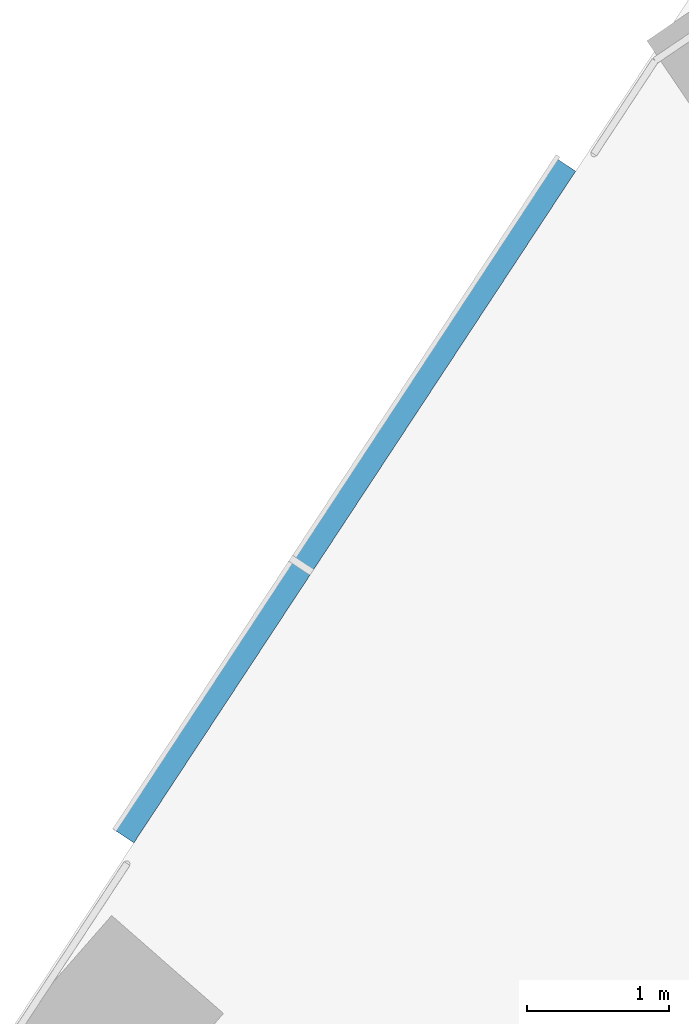
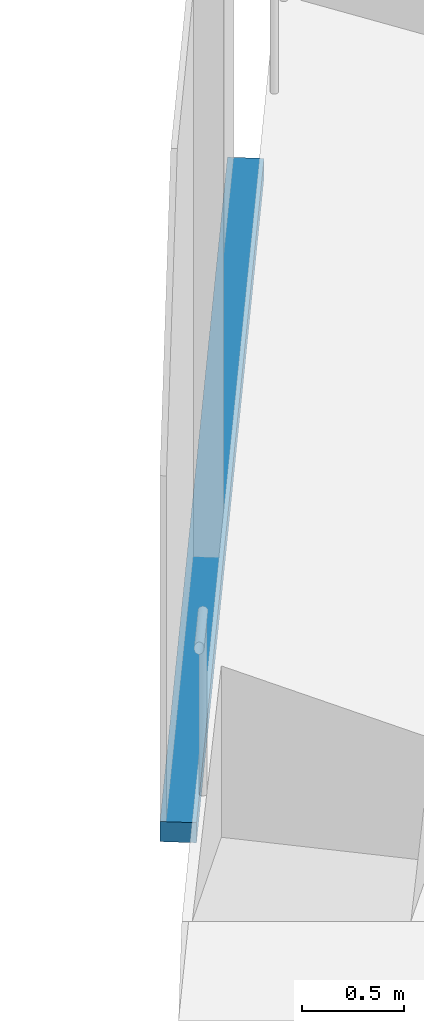
# One storey, part 7 of 26: 1 member, 1 element without a shape of its own.
"""IFC4 building model written with IfcOpenShell, lengths in metres."""

from ifc_helpers import new_model, si_unit, direction, frame, origin, origin_2d, place, context, subcontext, project, spatial, rectangle, extrude, material, material_profile, profile_set, type_object, element, aggregate, save


model = new_model("IFC4")

# Units and contexts
model_context = context("Model", 3, precision=1e-05, world=origin(), true_north=direction((0.0, 1.0)))
body_context = subcontext(model_context, "Body", "Model", "MODEL_VIEW")
ifc_project = project(units=[si_unit("LENGTHUNIT", "METRE"), si_unit("AREAUNIT", "SQUARE_METRE"), si_unit("VOLUMEUNIT", "CUBIC_METRE"), si_unit("PLANEANGLEUNIT", "RADIAN"), si_unit("MASSUNIT", "GRAM", prefix="KILO")], contexts=[model_context])

# Site, building, storey
site_placement = place(None, origin())
site = spatial("IfcSite", under=ifc_project, at=site_placement, CompositionType="ELEMENT")
building_placement = place(site_placement, origin())
building = spatial("IfcBuilding", under=site, at=building_placement, Name="Orlundy Tower", CompositionType="ELEMENT")
storey_placement = place(building_placement, frame((0.0, 0.0, 232.0)))
storey = spatial("IfcBuildingStorey", under=building, at=storey_placement, Name="L61", CompositionType="ELEMENT", Elevation=232.0)

# Curtain wall, member
ifc_material_1 = material(Name="Aluminium bronze anodised", Category="aluminium")
curtain_wall_type = type_object("IfcCurtainWallType", Name="CW1 wall", PredefinedType="NOTDEFINED", material=ifc_material_1)
curtain_wall_placement = place(storey_placement, origin())
curtain_wall = element("IfcCurtainWall", 1, at=curtain_wall_placement, inside=storey, type_object=curtain_wall_type, Name="CW1 run 015", PredefinedType="NOTDEFINED")
ifc_material_2 = material(Name="Aluminium bronze anodised", Category="aluminium")
ifc_material_profile = material_profile(ifc_material_2, rectangle(XDim=0.179931640625, YDim=0.1201171875, at=origin_2d()), Name="CW1 transom 180x120")
ifc_profile_set = profile_set([ifc_material_profile], Name="Aluminium bronze anodised")
member_type = type_object("IfcMemberType", Name="CW1 transom 180x120", PredefinedType="USERDEFINED", material=ifc_profile_set)
member_placement = place(storey_placement, frame((-22.30029296875, 20.851318359375, -0.340087890625), z_axis=(0.549502841827, 0.835491847252, 0.0), x_axis=(-0.835491847252, 0.549502841827, 0.0)))
member = element("IfcMember", 2, at=member_placement, type_object=member_type, Name="CW1 transom", ObjectType="TRANSOM", PredefinedType="USERDEFINED", context=body_context, shape_type="SweptSolid", body=[
    extrude(rectangle(XDim=0.179931640625, YDim=0.1201171875, at=origin_2d()), origin(), (0.0, 0.0, 1.0), 5.68115234375),
])
aggregate(curtain_wall, [member])

save(model, "model.ifc")
